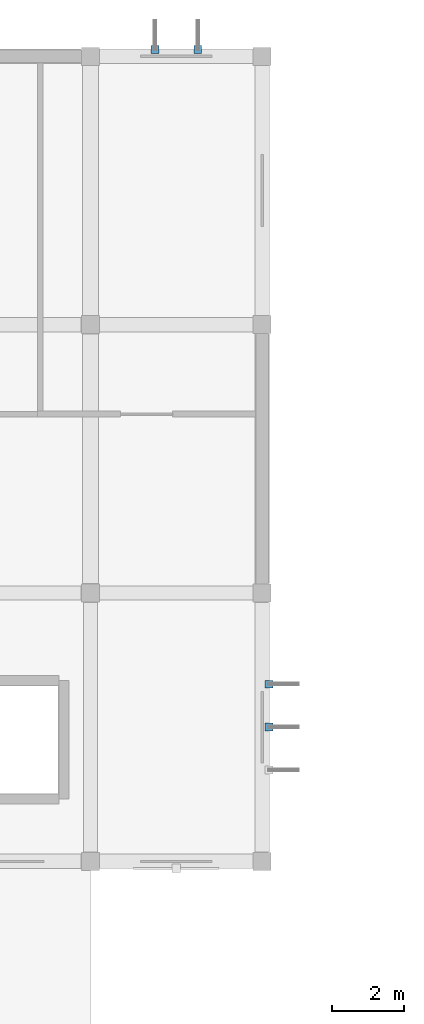
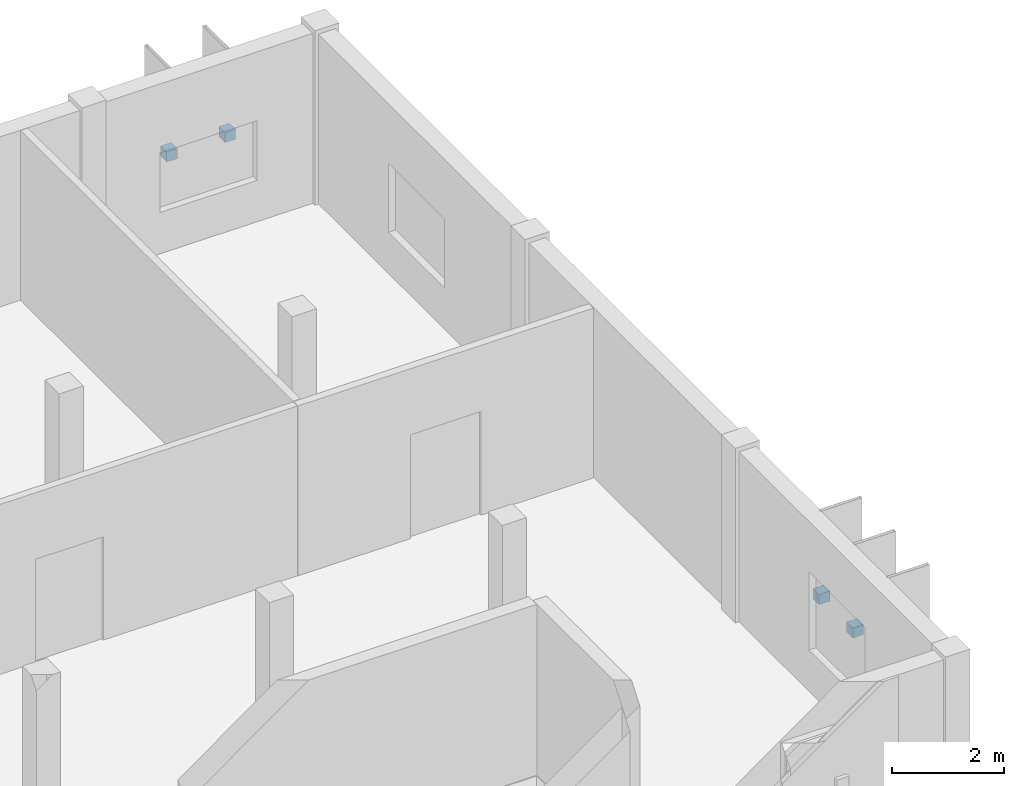
# One storey, part 15 of 21: 4 discrete accessories.
"""IFC4 building model written with IfcOpenShell, lengths in metres."""

from ifc_helpers import new_model, si_unit, direction, frame, origin, origin_2d, place, context, subcontext, project, spatial, rectangle, extrude, material, layer, layer_set, type_object, element, save


model = new_model("IFC4")

# Units and contexts
model_context = context("Model", 3, precision=1e-05, world=origin(), true_north=direction((0.0, 1.0)))
body_context = subcontext(model_context, "Body", "Model", "MODEL_VIEW")
ifc_project = project(units=[si_unit("LENGTHUNIT", "METRE"), si_unit("AREAUNIT", "SQUARE_METRE"), si_unit("VOLUMEUNIT", "CUBIC_METRE"), si_unit("PLANEANGLEUNIT", "RADIAN"), si_unit("MASSUNIT", "GRAM", prefix="KILO")], contexts=[model_context])

# Site, building, storey
site_placement = place(None, origin())
site = spatial("IfcSite", under=ifc_project, at=site_placement, CompositionType="ELEMENT")
building_placement = place(site_placement, origin())
building = spatial("IfcBuilding", under=site, at=building_placement, Name="Mawjan Specialist Oncology Clinic", CompositionType="ELEMENT")
storey_placement = place(building_placement, frame((0.0, 0.0, 13.5)))
storey = spatial("IfcBuildingStorey", under=building, at=storey_placement, Name="L03", CompositionType="ELEMENT", Elevation=13.5)

# Discrete accessories
ifc_material = material(Name="Structural steel S355", Category="steel")
ifc_layer = layer(ifc_material, 0.219970703125, Name="Structural steel S355", Category="steel")
ifc_layer_set = layer_set([ifc_layer], Name="Structural steel S355")
discrete_accessory_type = type_object("IfcDiscreteAccessoryType", Name="BRK-S355", PredefinedType="BRACKET", material=ifc_layer_set)
for number, where, z_axis, x_axis, name in (
    (1, (95.39990234375, 105.9951171875, 1.740234375), (0.0, 0.0, 1.0), (1.0, 0.0, 0.0), "Solar Fin Mounting Bracket 79"),
    (2, (96.60009765625, 105.9951171875, 1.740234375), (0.0, 0.0, 1.0), (1.0, 0.0, 0.0), "Solar Fin Mounting Bracket 80"),
    (3, (98.594970703125, 88.25, 1.740234375), (0.0, 0.0, 1.0), (0.0, -1.0, 0.0), "Solar Fin Mounting Bracket 81"),
    (4, (98.594970703125, 87.050048828125, 1.740234375), (0.0, 0.0, 1.0), (0.0, -1.0, 0.0), "Solar Fin Mounting Bracket 82"),
):
    element("IfcDiscreteAccessory", number, at=place(storey_placement, frame(where, z_axis=z_axis, x_axis=x_axis)), inside=storey, type_object=discrete_accessory_type, Name=name, PredefinedType="BRACKET", context=body_context, shape_type="SweptSolid", body=[
        extrude(rectangle(XDim=0.219970703125, YDim=0.219970703125, at=origin_2d()), origin(), (0.0, 0.0, 1.0), 0.219970703125),
    ])

save(model, "model.ifc")
